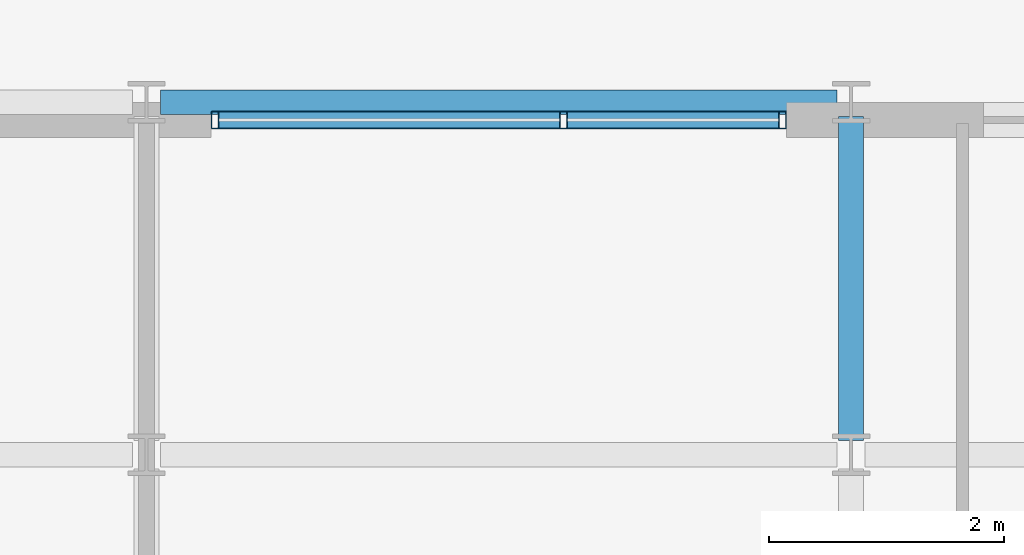
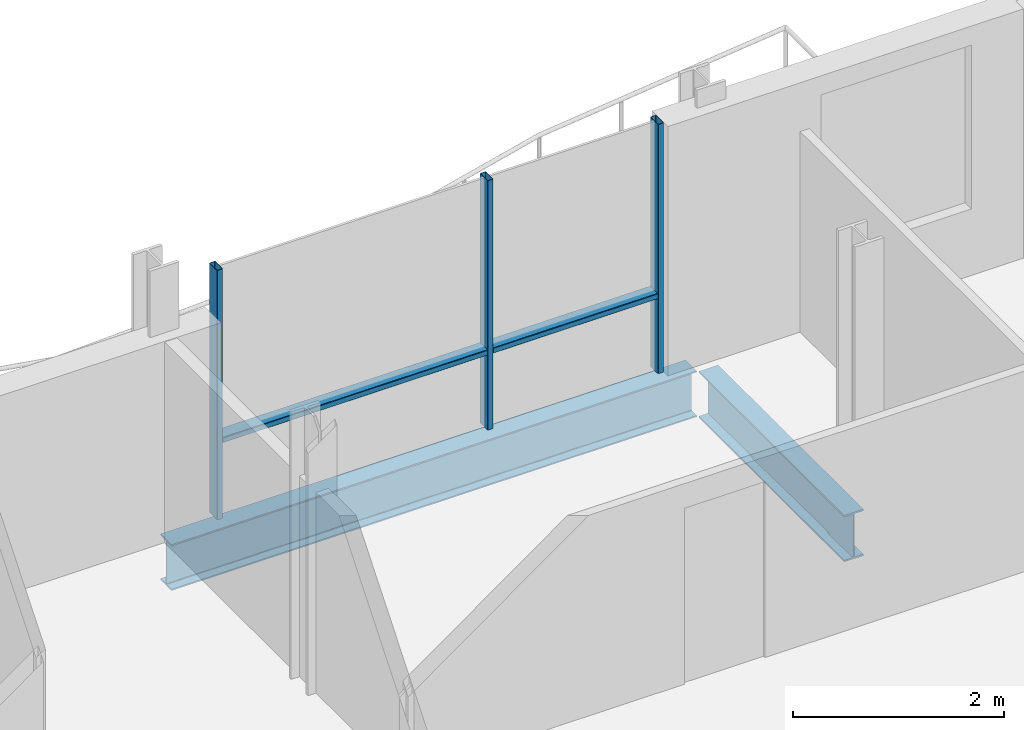
# One storey, part 4 of 13: 5 members, 2 beams, 1 element without a shape of its own.
"""IFC4 building model written with IfcOpenShell, lengths in metres."""

import ifcopenshell
import ifcopenshell.guid

model = None  # the IFC model being written
_history = None  # IfcOwnerHistory: only IFC2X3 demands one
_inside = {}  # id of a spatial element -> (the spatial element, [elements in it])
_under = {}  # id of a project, library or spatial element -> (it, [spatial elements below it])
_declared = {}  # id of a project -> (the project, [libraries it declares])
_typed = {}  # id of a type object -> (the type object, [elements of that type])
_made_of = {}  # id of a material, layer set ... -> (it, [elements and type objects made of it])


def new_model(schema):
    """Start an empty IFC model of exactly this schema.

    Asked for "IFC4X3", IfcOpenShell would pick the latest addendum, in which some entities
    have other attributes; the version numbers below select the first issue.
    IFC2X3 requires an IfcOwnerHistory on every rooted entity: one is made here for all.
    """
    global model, _history
    if schema == "IFC4X3":
        model = ifcopenshell.file(schema_version=(4, 3, 0, 0))
    else:
        model = ifcopenshell.file(schema=schema)
    _inside.clear()
    _under.clear()
    _declared.clear()
    _typed.clear()
    _made_of.clear()
    _history = None
    if model.schema == "IFC2X3":
        org = make("IfcOrganization", Name="unknown")
        user = make(
            "IfcPersonAndOrganization",
            ThePerson=make("IfcPerson", FamilyName="unknown"),
            TheOrganization=org,
        )
        app = make(
            "IfcApplication",
            ApplicationDeveloper=org,
            Version="unknown",
            ApplicationFullName="unknown",
            ApplicationIdentifier="unknown",
        )
        _history = make(
            "IfcOwnerHistory",
            OwningUser=user,
            OwningApplication=app,
            ChangeAction="ADDED",
            CreationDate=0,
        )
    return model


def make(cls, **values):
    """One entity of the class cls with the attributes given. An attribute that is None is left unset."""
    return model.create_entity(
        cls, **{name: value for name, value in values.items() if value is not None}
    )


def rooted(cls, **values):
    """An entity with a GlobalId (a new one), such as an element, a storey or a relation."""
    return make(cls, GlobalId=ifcopenshell.guid.new(), OwnerHistory=_history, **values)


def si_unit(unit_type, name, prefix=None):
    """IfcSIUnit, for example si_unit("LENGTHUNIT", "METRE", prefix="MILLI")."""
    return make("IfcSIUnit", UnitType=unit_type, Prefix=prefix, Name=name)


def assignment(units):
    """IfcUnitAssignment: the units of a project."""
    return None if units is None else make("IfcUnitAssignment", Units=units)


def point(xyz):
    """IfcCartesianPoint."""
    return None if xyz is None else make("IfcCartesianPoint", Coordinates=xyz)


def direction(xyz):
    """IfcDirection."""
    return None if xyz is None else make("IfcDirection", DirectionRatios=xyz)


def frame(location, z_axis=None, x_axis=None):
    """IfcAxis2Placement3D, a coordinate frame: its origin and axes. An axis left out is left unset."""
    return make(
        "IfcAxis2Placement3D",
        Location=point(location),
        Axis=direction(z_axis),
        RefDirection=direction(x_axis),
    )


def frame_2d(location, x_axis=None):
    """IfcAxis2Placement2D, a coordinate frame in the plane: its origin and x axis."""
    return make(
        "IfcAxis2Placement2D", Location=point(location), RefDirection=direction(x_axis)
    )


def origin():
    """The frame at (0, 0, 0) with its axes left unset."""
    return frame((0.0, 0.0, 0.0))


def origin_2d():
    """The frame at (0, 0) in the plane with its x axis left unset."""
    return frame_2d((0.0, 0.0))


def place(relative_to, where):
    """IfcLocalPlacement: puts the frame where relative to a parent placement (None: the world)."""
    return make(
        "IfcLocalPlacement", PlacementRelTo=relative_to, RelativePlacement=where
    )


def context(
    kind, dimensions, precision=None, world=None, true_north=None, identifier=None
):
    """IfcGeometricRepresentationContext, for example the 3D "Model" context."""
    return make(
        "IfcGeometricRepresentationContext",
        ContextIdentifier=identifier,
        ContextType=kind,
        CoordinateSpaceDimension=dimensions,
        Precision=precision,
        WorldCoordinateSystem=world,
        TrueNorth=true_north,
    )


def subcontext(parent, identifier, kind, view, scale=None):
    """IfcGeometricRepresentationSubContext, for example "Body" below "Model"."""
    return make(
        "IfcGeometricRepresentationSubContext",
        ContextIdentifier=identifier,
        ContextType=kind,
        ParentContext=parent,
        TargetScale=scale,
        TargetView=view,
    )


def project(units=None, contexts=None):
    """IfcProject with its units and contexts."""
    return rooted(
        "IfcProject",
        Name="project",
        RepresentationContexts=contexts,
        UnitsInContext=assignment(units),
    )


def spatial(cls, under=None, at=None, **own):
    """A site, building, storey or space (cls), placed at a placement, below another one or the project."""
    s = rooted(cls, ObjectPlacement=at, **own)
    if under is not None:
        _under.setdefault(under.id(), (under, []))[1].append(s)
    return s


def profile(cls, at=None, kind="AREA", **sizes):
    """A parametric profile (cls). Its sizes go by their IFC names, for example OverallWidth=200.0."""
    return make(cls, ProfileType=kind, Position=at, **sizes)


def hollow_rectangle(**sizes):
    """IfcRectangleHollowProfileDef."""
    return profile("IfcRectangleHollowProfileDef", **sizes)


def i_section(**sizes):
    """IfcIShapeProfileDef."""
    return profile("IfcIShapeProfileDef", **sizes)


def extrude(swept, where, along, depth):
    """IfcExtrudedAreaSolid: the profile swept, set in the frame where, extruded along a direction by depth."""
    return make(
        "IfcExtrudedAreaSolid",
        SweptArea=swept,
        Position=where,
        ExtrudedDirection=direction(along),
        Depth=depth,
    )


def shape(context_of_items, identifier, shape_type, items):
    """IfcShapeRepresentation: the items that make up one representation, for example the "Body"."""
    return make(
        "IfcShapeRepresentation",
        ContextOfItems=context_of_items,
        RepresentationIdentifier=identifier,
        RepresentationType=shape_type,
        Items=items,
    )


def material(Name=None, Category=None):
    """IfcMaterial."""
    return make("IfcMaterial", Name=Name, Category=Category)


def layer(
    of_material, thickness, ventilated=None, Name=None, Category=None, Priority=None
):
    """IfcMaterialLayer: one layer of a wall or slab, of a material (None: an air gap)."""
    return make(
        "IfcMaterialLayer",
        Material=of_material,
        LayerThickness=thickness,
        IsVentilated=ventilated,
        Name=Name,
        Category=Category,
        Priority=Priority,
    )


def layer_set(layers, Name=None):
    """IfcMaterialLayerSet."""
    return make("IfcMaterialLayerSet", MaterialLayers=layers, LayerSetName=Name)


def material_profile(
    of_material, cross_section, Name=None, Category=None, Priority=None
):
    """IfcMaterialProfile: a cross section and its material."""
    return make(
        "IfcMaterialProfile",
        Name=Name,
        Material=of_material,
        Profile=cross_section,
        Priority=Priority,
        Category=Category,
    )


def profile_set(profiles, Name=None, composite=None):
    """IfcMaterialProfileSet."""
    return make(
        "IfcMaterialProfileSet",
        Name=Name,
        MaterialProfiles=profiles,
        CompositeProfile=composite,
    )


def made_of(thing, what):
    """Note that an element or type object is made of a material, layer set ...; save() writes the relation."""
    if what is not None:
        _made_of.setdefault(what.id(), (what, []))[1].append(thing)
    return thing


def type_object(cls, material=None, **own):
    """A type object (cls), such as IfcWallType, which elements share."""
    return made_of(rooted(cls, **own), material)


def element(
    cls,
    number,
    at=None,
    inside=None,
    cuts=None,
    type_object=None,
    material=None,
    context=None,
    identifier="Body",
    shape_type=None,
    held_by="IfcProductDefinitionShape",
    body=None,
    shapes=None,
    **own,
):
    """One element of the class cls, such as IfcWall. Its Tag is "e" and its number.

    at: its placement. inside: the storey or other place that contains it. cuts: it is an
    opening in that element (IfcRelVoidsElement). A single representation is given by context,
    identifier, shape_type and body (its items); several are given by shapes. held_by: the class
    of the entity that holds the representations. save() writes the other relations.
    """
    e = rooted(cls, Tag="e%d" % number, ObjectPlacement=at, **own)
    if body is not None:
        shapes = [shape(context, identifier, shape_type, body)]
    if shapes is not None:
        e.Representation = make(held_by, Representations=shapes)
    if inside is not None:
        _inside.setdefault(inside.id(), (inside, []))[1].append(e)
    if cuts is not None:
        rooted(
            "IfcRelVoidsElement", RelatingBuildingElement=cuts, RelatedOpeningElement=e
        )
    if type_object is not None:
        _typed.setdefault(type_object.id(), (type_object, []))[1].append(e)
    return made_of(e, material)


def aggregate(whole, parts):
    """IfcRelAggregates: a whole, such as a stair, and the parts it consists of."""
    return rooted("IfcRelAggregates", RelatingObject=whole, RelatedObjects=parts)


def save(model, path):
    """Write the relations noted so far, then the file.

    IfcRelAggregates (storeys below a building ...), IfcRelContainedInSpatialStructure (elements
    in a storey), IfcRelDefinesByType, IfcRelAssociatesMaterial and IfcRelDeclares: one each for
    every whole, place, type object, material and project.
    """
    for whole, parts in _under.values():
        aggregate(whole, parts)
    for where, things in _inside.values():
        rooted(
            "IfcRelContainedInSpatialStructure",
            RelatedElements=things,
            RelatingStructure=where,
        )
    for kind, things in _typed.values():
        rooted("IfcRelDefinesByType", RelatedObjects=things, RelatingType=kind)
    for what, things in _made_of.values():
        rooted("IfcRelAssociatesMaterial", RelatedObjects=things, RelatingMaterial=what)
    for by, libraries in _declared.values():
        rooted("IfcRelDeclares", RelatingContext=by, RelatedDefinitions=libraries)
    model.write(path)


model = new_model("IFC4")

# Units and contexts
model_context = context("Model", 3, precision=1e-05, world=origin(), true_north=direction((0.0, 1.0)))
body_context = subcontext(model_context, "Body", "Model", "MODEL_VIEW")
ifc_project = project(units=[si_unit("LENGTHUNIT", "METRE"), si_unit("AREAUNIT", "SQUARE_METRE"), si_unit("VOLUMEUNIT", "CUBIC_METRE"), si_unit("PLANEANGLEUNIT", "RADIAN"), si_unit("MASSUNIT", "GRAM", prefix="KILO")], contexts=[model_context])

# Site, building, storey
site_placement = place(None, origin())
site = spatial("IfcSite", under=ifc_project, at=site_placement, CompositionType="ELEMENT")
building_placement = place(site_placement, origin())
building = spatial("IfcBuilding", under=site, at=building_placement, Name="Brevholm Reach", CompositionType="ELEMENT")
storey_placement = place(building_placement, frame((0.0, 0.0, 224.199951171875)))
storey = spatial("IfcBuildingStorey", under=building, at=storey_placement, Name="L68", CompositionType="ELEMENT", Elevation=224.199951171875)

# Beams
ifc_material_1 = material(Name="Structural Steel S355J2", Category="steel")
ifc_material_profile_1 = material_profile(ifc_material_1, i_section(OverallWidth=0.209228515625, OverallDepth=0.533203125, WebThickness=0.010009765625, FlangeThickness=0.015625, FilletRadius=0.0126953125, at=origin_2d()), Name="UKB 533x210x92")
ifc_profile_set_1 = profile_set([ifc_material_profile_1], Name="Structural Steel S355J2")
beam_type_1 = type_object("IfcBeamType", Name="BM-SP533", PredefinedType="SPANDREL", material=ifc_profile_set_1)
beam_1_placement = place(storey_placement, frame((48.1201171875, 26.5, -0.4765625), z_axis=(1.0, 0.0, 0.0), x_axis=(0.0, 1.0, 0.0)))
element("IfcBeam", 1, at=beam_1_placement, inside=storey, type_object=beam_type_1, Name="L68 SP-02 Framing Beam", PredefinedType="SPANDREL", context=body_context, shape_type="SweptSolid", body=[
    extrude(i_section(OverallWidth=0.209228515625, OverallDepth=0.533203125, WebThickness=0.010009765625, FlangeThickness=0.015625, FilletRadius=0.0126953125, at=origin_2d()), origin(), (0.0, 0.0, 1.0), 5.759765625),
])
ifc_material_2 = material(Name="Structural Steel S355J2", Category="steel")
ifc_material_profile_2 = material_profile(ifc_material_2, i_section(OverallWidth=0.210693359375, OverallDepth=0.53955078125, WebThickness=0.01171875, FlangeThickness=0.018798828125, FilletRadius=0.0126953125, at=origin_2d()), Name="UKB 533x210x109")
ifc_profile_set_2 = profile_set([ifc_material_profile_2], Name="Structural Steel S355J2")
beam_type_2 = type_object("IfcBeamType", Name="BM-SP539", PredefinedType="SPANDREL", material=ifc_profile_set_2)
beam_2_placement = place(storey_placement, frame((54.0, 23.6201171875, -0.479736328125), z_axis=(0.0, 1.0, 0.0), x_axis=(-1.0, 0.0, 0.0)))
element("IfcBeam", 2, at=beam_2_placement, inside=storey, type_object=beam_type_2, Name="L68 SP-01B Framing Beam", PredefinedType="SPANDREL", context=body_context, shape_type="SweptSolid", body=[
    extrude(i_section(OverallWidth=0.210693359375, OverallDepth=0.53955078125, WebThickness=0.01171875, FlangeThickness=0.018798828125, FilletRadius=0.0126953125, at=origin_2d()), origin(), (0.0, 0.0, 1.0), 2.759765625),
])

# Curtain wall, members
ifc_material_3 = material(Name="Dark Anodised Aluminium 6063-T6 and Solar-Control Glass", Category="aluminium")
ifc_layer = layer(ifc_material_3, 0.14990234375)
ifc_layer_set = layer_set([ifc_layer], Name="Dark Anodised Aluminium 6063-T6 and Solar-Control Glass")
curtain_wall_type = type_object("IfcCurtainWallType", Name="CW-01", PredefinedType="NOTDEFINED", material=ifc_layer_set)
curtain_wall_placement = place(storey_placement, origin())
curtain_wall = element("IfcCurtainWall", 3, at=curtain_wall_placement, inside=storey, type_object=curtain_wall_type, Name="L68 Curtain Wall CW-01", PredefinedType="NOTDEFINED")
ifc_material_4 = material(Name="Dark Anodised Aluminium 6063-T6", Category="aluminium")
ifc_material_profile_3 = material_profile(ifc_material_4, hollow_rectangle(XDim=0.06494140625, YDim=0.14990234375, WallThickness=0.0048828125, InnerFilletRadius=0.0048828125, OuterFilletRadius=0.010009765625, at=origin_2d()), Name="RHS 150x65x5")
ifc_profile_set_3 = profile_set([ifc_material_profile_3], Name="Dark Anodised Aluminium 6063-T6")
member_type_1 = type_object("IfcMemberType", Name="CWM-150", PredefinedType="MULLION", material=ifc_profile_set_3)
member_1_placement = place(storey_placement, frame((48.58251953125, 26.35009765625, 0.0), z_axis=(0.0, 0.0, 1.0), x_axis=(1.0, 0.0, 0.0)))
member_1 = element("IfcMember", 4, at=member_1_placement, type_object=member_type_1, Name="CM-150 Mullion 1", PredefinedType="MULLION", context=body_context, shape_type="SweptSolid", body=[
    extrude(hollow_rectangle(XDim=0.06494140625, YDim=0.14990234375, WallThickness=0.0048828125, InnerFilletRadius=0.0048828125, OuterFilletRadius=0.010009765625, at=origin_2d()), origin(), (0.0, 0.0, 1.0), 2.89013671875),
])
member_2_placement = place(storey_placement, frame((51.550048828125, 26.35009765625, 0.0), z_axis=(0.0, 0.0, 1.0), x_axis=(1.0, 0.0, 0.0)))
member_2 = element("IfcMember", 5, at=member_2_placement, type_object=member_type_1, Name="CM-150 Mullion 2", PredefinedType="MULLION", context=body_context, shape_type="SweptSolid", body=[
    extrude(hollow_rectangle(XDim=0.06494140625, YDim=0.14990234375, WallThickness=0.0048828125, InnerFilletRadius=0.0048828125, OuterFilletRadius=0.010009765625, at=origin_2d()), origin(), (0.0, 0.0, 1.0), 2.89013671875),
])
member_3_placement = place(storey_placement, frame((53.41748046875, 26.35009765625, 0.0), z_axis=(0.0, 0.0, 1.0), x_axis=(1.0, 0.0, 0.0)))
member_3 = element("IfcMember", 6, at=member_3_placement, type_object=member_type_1, Name="CM-150 Mullion 3", PredefinedType="MULLION", context=body_context, shape_type="SweptSolid", body=[
    extrude(hollow_rectangle(XDim=0.06494140625, YDim=0.14990234375, WallThickness=0.0048828125, InnerFilletRadius=0.0048828125, OuterFilletRadius=0.010009765625, at=origin_2d()), origin(), (0.0, 0.0, 1.0), 2.89013671875),
])
ifc_material_5 = material(Name="Dark Anodised Aluminium 6063-T6", Category="aluminium")
ifc_material_profile_4 = material_profile(ifc_material_5, hollow_rectangle(XDim=0.06494140625, YDim=0.14990234375, WallThickness=0.0048828125, InnerFilletRadius=0.0048828125, OuterFilletRadius=0.010009765625, at=origin_2d()), Name="RHS 150x65x5")
ifc_profile_set_4 = profile_set([ifc_material_profile_4], Name="Dark Anodised Aluminium 6063-T6")
member_type_2 = type_object("IfcMemberType", Name="CWT-150", PredefinedType="NOTDEFINED", material=ifc_profile_set_4)
member_4_placement = place(storey_placement, frame((48.614990234375, 26.35009765625, 0.900146484375), z_axis=(1.0, 0.0, 0.0), x_axis=(0.0, 0.0, 1.0)))
member_4 = element("IfcMember", 7, at=member_4_placement, type_object=member_type_2, Name="CT-150 Transom 1.1", ObjectType="TRANSOM", PredefinedType="USERDEFINED", context=body_context, shape_type="SweptSolid", body=[
    extrude(hollow_rectangle(XDim=0.06494140625, YDim=0.14990234375, WallThickness=0.0048828125, InnerFilletRadius=0.0048828125, OuterFilletRadius=0.010009765625, at=origin_2d()), origin(), (0.0, 0.0, 1.0), 2.902587890625),
])
member_5_placement = place(storey_placement, frame((51.58251953125, 26.35009765625, 0.900146484375), z_axis=(1.0, 0.0, 0.0), x_axis=(0.0, 0.0, 1.0)))
member_5 = element("IfcMember", 8, at=member_5_placement, type_object=member_type_2, Name="CT-150 Transom 2.1", ObjectType="TRANSOM", PredefinedType="USERDEFINED", context=body_context, shape_type="SweptSolid", body=[
    extrude(hollow_rectangle(XDim=0.06494140625, YDim=0.14990234375, WallThickness=0.0048828125, InnerFilletRadius=0.0048828125, OuterFilletRadius=0.010009765625, at=origin_2d()), origin(), (0.0, 0.0, 1.0), 1.802490234375),
])
aggregate(curtain_wall, [member_1, member_2, member_3, member_4, member_5])

save(model, "model.ifc")
